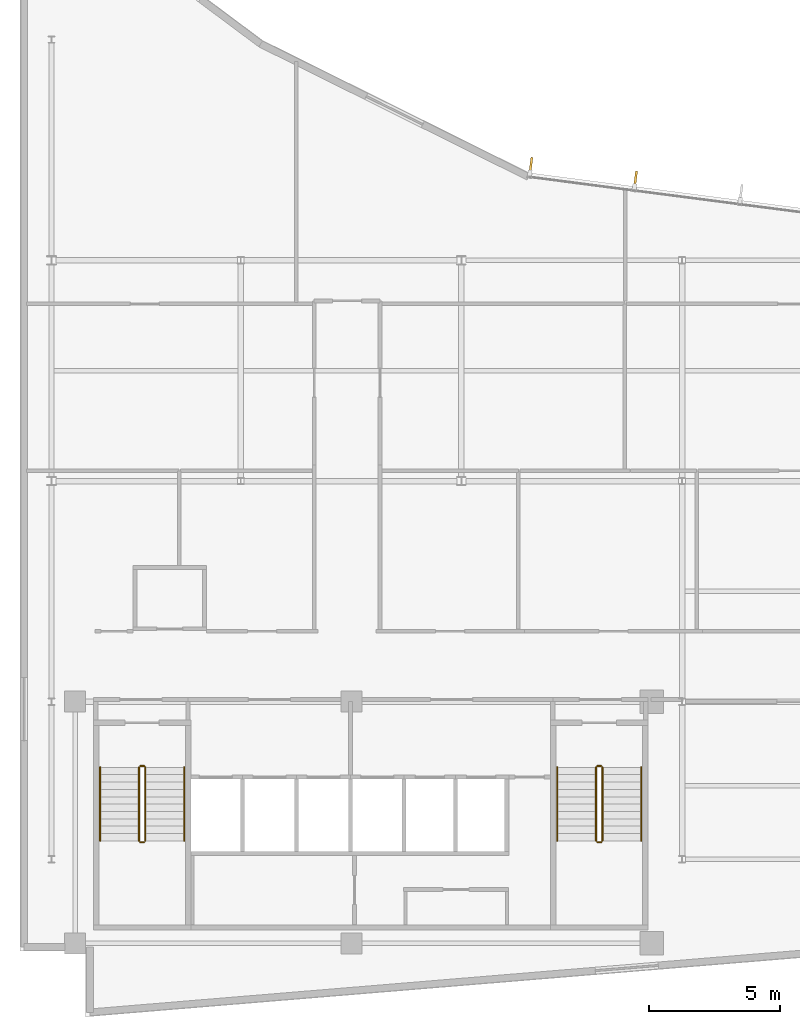
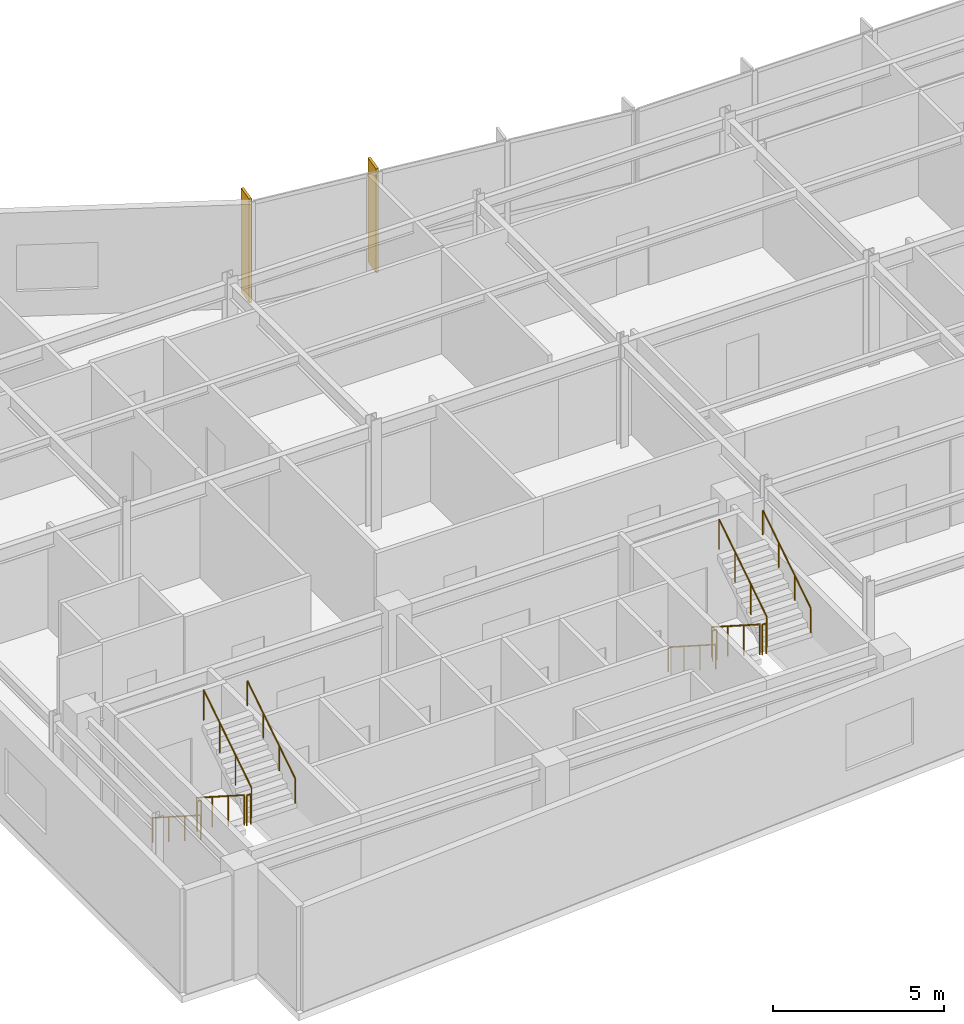
# One storey, part 13 of 15: 12 railings, 2 shading devices.
"""IFC4 building model written with IfcOpenShell, lengths in metres."""

from ifc_helpers import new_model, si_unit, direction, frame, origin, origin_2d, place, context, subcontext, project, spatial, rectangle, circle, extrude, material, layer, layer_set, type_object, element, save


model = new_model("IFC4")

# Units and contexts
model_context = context("Model", 3, precision=1e-05, world=origin(), true_north=direction((0.0, 1.0)))
body_context = subcontext(model_context, "Body", "Model", "MODEL_VIEW")
ifc_project = project(units=[si_unit("LENGTHUNIT", "METRE"), si_unit("AREAUNIT", "SQUARE_METRE"), si_unit("VOLUMEUNIT", "CUBIC_METRE"), si_unit("PLANEANGLEUNIT", "RADIAN"), si_unit("MASSUNIT", "GRAM", prefix="KILO")], contexts=[model_context])

# Site, building, storey
site_placement = place(None, origin())
site = spatial("IfcSite", under=ifc_project, at=site_placement, CompositionType="ELEMENT")
building_placement = place(site_placement, origin())
building = spatial("IfcBuilding", under=site, at=building_placement, Name="Varnakote Quay Hospital", CompositionType="ELEMENT")
storey_placement = place(building_placement, frame((0.0, 0.0, 244.699951171875)))
storey = spatial("IfcBuildingStorey", under=building, at=storey_placement, Name="L60", CompositionType="ELEMENT", Elevation=244.699951171875)

# Railings
ifc_material_1 = material(Name="Brushed stainless steel balustrade", Category="steel")
railing_type_1 = type_object("IfcRailingType", Name="RLG-STAIR-GUARD-1150", PredefinedType="GUARDRAIL", material=ifc_material_1)
railing_1_placement = place(storey_placement, frame((4.530029296875, 9.5, 0.1796875)))
element("IfcRailing", 1, at=railing_1_placement, inside=storey, type_object=railing_type_1, Name="L60 ST-01 stair guard 1", PredefinedType="GUARDRAIL", context=body_context, shape_type="SweptSolid", body=[
    extrude(circle(Radius=0.02392578125, at=origin_2d()), frame((0.0, 0.0, 1.076171875), z_axis=(0.0, -0.841809871826, 0.539774156196), x_axis=(1.0, 0.0, 0.0)), (0.0, 0.0, 1.0), 3.326171875),
    extrude(circle(Radius=0.02099609375, at=origin_2d()), origin(), (0.0, 0.0, 1.0), 1.052001953125),
    extrude(circle(Radius=0.02099609375, at=origin_2d()), frame((0.0, -0.933349609375, 0.598388671875)), (0.0, 0.0, 1.0), 1.052001953125),
    extrude(circle(Radius=0.02099609375, at=origin_2d()), frame((0.0, -1.86669921875, 1.197021484375)), (0.0, 0.0, 1.0), 1.052001953125),
    extrude(circle(Radius=0.02099609375, at=origin_2d()), frame((0.0, -2.800048828125, 1.79541015625)), (0.0, 0.0, 1.0), 1.052001953125),
])
railing_2_placement = place(storey_placement, frame((4.580078125, 6.64990234375, 1.97509765625)))
element("IfcRailing", 2, at=railing_2_placement, inside=storey, type_object=railing_type_1, Name="L60 ST-01 stair guard 2", PredefinedType="GUARDRAIL", context=body_context, shape_type="SweptSolid", body=[
    extrude(circle(Radius=0.02392578125, at=origin_2d()), frame((0.0, 0.0, 1.076171875), z_axis=(1.0, 0.0, 0.0), x_axis=(0.0, 1.0, 0.0)), (0.0, 0.0, 1.0), 0.139892578125),
    extrude(circle(Radius=0.02099609375, at=origin_2d()), origin(), (0.0, 0.0, 1.0), 1.052001953125),
    extrude(circle(Radius=0.02099609375, at=origin_2d()), frame((0.139892578125, 0.0, 0.0)), (0.0, 0.0, 1.0), 1.052001953125),
])
railing_3_placement = place(storey_placement, frame((4.77001953125, 6.699951171875, 2.154541015625)))
element("IfcRailing", 3, at=railing_3_placement, inside=storey, type_object=railing_type_1, Name="L60 ST-01 stair guard 3", PredefinedType="GUARDRAIL", context=body_context, shape_type="SweptSolid", body=[
    extrude(circle(Radius=0.02392578125, at=origin_2d()), frame((0.0, 0.0, 1.076171875), z_axis=(0.0, 0.841809871826, 0.539774156196), x_axis=(-1.0, 0.0, 0.0)), (0.0, 0.0, 1.0), 3.326171875),
    extrude(circle(Radius=0.02099609375, at=origin_2d()), origin(), (0.0, 0.0, 1.0), 1.052001953125),
    extrude(circle(Radius=0.02099609375, at=origin_2d()), frame((0.0, 0.933349609375, 0.598388671875)), (0.0, 0.0, 1.0), 1.052001953125),
    extrude(circle(Radius=0.02099609375, at=origin_2d()), frame((0.0, 1.86669921875, 1.197021484375)), (0.0, 0.0, 1.0), 1.052001953125),
    extrude(circle(Radius=0.02099609375, at=origin_2d()), frame((0.0, 2.800048828125, 1.79541015625)), (0.0, 0.0, 1.0), 1.052001953125),
])
railing_4_placement = place(storey_placement, frame((4.580078125, 9.550048828125, 0.0)))
element("IfcRailing", 4, at=railing_4_placement, inside=storey, type_object=railing_type_1, Name="L60 ST-01 stair guard 4", PredefinedType="GUARDRAIL", context=body_context, shape_type="SweptSolid", body=[
    extrude(circle(Radius=0.02392578125, at=origin_2d()), frame((0.0, 0.0, 1.076171875), z_axis=(1.0, 0.0, 0.0), x_axis=(0.0, 1.0, 0.0)), (0.0, 0.0, 1.0), 0.139892578125),
    extrude(circle(Radius=0.02099609375, at=origin_2d()), origin(), (0.0, 0.0, 1.0), 1.052001953125),
    extrude(circle(Radius=0.02099609375, at=origin_2d()), frame((0.139892578125, 0.0, 0.0)), (0.0, 0.0, 1.0), 1.052001953125),
])
railing_5_placement = place(storey_placement, frame((21.929931640625, 9.5, 0.1796875)))
element("IfcRailing", 5, at=railing_5_placement, inside=storey, type_object=railing_type_1, Name="L60 ST-02 stair guard 1", PredefinedType="GUARDRAIL", context=body_context, shape_type="SweptSolid", body=[
    extrude(circle(Radius=0.02392578125, at=origin_2d()), frame((0.0, 0.0, 1.076171875), z_axis=(0.0, -0.841809871826, 0.539774156196), x_axis=(1.0, 0.0, 0.0)), (0.0, 0.0, 1.0), 3.326171875),
    extrude(circle(Radius=0.02099609375, at=origin_2d()), origin(), (0.0, 0.0, 1.0), 1.052001953125),
    extrude(circle(Radius=0.02099609375, at=origin_2d()), frame((0.0, -0.933349609375, 0.598388671875)), (0.0, 0.0, 1.0), 1.052001953125),
    extrude(circle(Radius=0.02099609375, at=origin_2d()), frame((0.0, -1.86669921875, 1.197021484375)), (0.0, 0.0, 1.0), 1.052001953125),
    extrude(circle(Radius=0.02099609375, at=origin_2d()), frame((0.0, -2.800048828125, 1.79541015625)), (0.0, 0.0, 1.0), 1.052001953125),
])
railing_6_placement = place(storey_placement, frame((21.97998046875, 6.64990234375, 1.97509765625)))
element("IfcRailing", 6, at=railing_6_placement, inside=storey, type_object=railing_type_1, Name="L60 ST-02 stair guard 2", PredefinedType="GUARDRAIL", context=body_context, shape_type="SweptSolid", body=[
    extrude(circle(Radius=0.02392578125, at=origin_2d()), frame((0.0, 0.0, 1.076171875), z_axis=(1.0, 0.0, 0.0), x_axis=(0.0, 1.0, 0.0)), (0.0, 0.0, 1.0), 0.14013671875),
    extrude(circle(Radius=0.02099609375, at=origin_2d()), origin(), (0.0, 0.0, 1.0), 1.052001953125),
    extrude(circle(Radius=0.02099609375, at=origin_2d()), frame((0.14013671875, 0.0, 0.0)), (0.0, 0.0, 1.0), 1.052001953125),
])
railing_7_placement = place(storey_placement, frame((22.169921875, 6.699951171875, 2.154541015625)))
element("IfcRailing", 7, at=railing_7_placement, inside=storey, type_object=railing_type_1, Name="L60 ST-02 stair guard 3", PredefinedType="GUARDRAIL", context=body_context, shape_type="SweptSolid", body=[
    extrude(circle(Radius=0.02392578125, at=origin_2d()), frame((0.0, 0.0, 1.076171875), z_axis=(0.0, 0.841809871826, 0.539774156196), x_axis=(-1.0, 0.0, 0.0)), (0.0, 0.0, 1.0), 3.326171875),
    extrude(circle(Radius=0.02099609375, at=origin_2d()), origin(), (0.0, 0.0, 1.0), 1.052001953125),
    extrude(circle(Radius=0.02099609375, at=origin_2d()), frame((0.0, 0.933349609375, 0.598388671875)), (0.0, 0.0, 1.0), 1.052001953125),
    extrude(circle(Radius=0.02099609375, at=origin_2d()), frame((0.0, 1.86669921875, 1.197021484375)), (0.0, 0.0, 1.0), 1.052001953125),
    extrude(circle(Radius=0.02099609375, at=origin_2d()), frame((0.0, 2.800048828125, 1.79541015625)), (0.0, 0.0, 1.0), 1.052001953125),
])
railing_8_placement = place(storey_placement, frame((21.97998046875, 9.550048828125, 0.0)))
element("IfcRailing", 8, at=railing_8_placement, inside=storey, type_object=railing_type_1, Name="L60 ST-02 stair guard 4", PredefinedType="GUARDRAIL", context=body_context, shape_type="SweptSolid", body=[
    extrude(circle(Radius=0.02392578125, at=origin_2d()), frame((0.0, 0.0, 1.076171875), z_axis=(1.0, 0.0, 0.0), x_axis=(0.0, 1.0, 0.0)), (0.0, 0.0, 1.0), 0.14013671875),
    extrude(circle(Radius=0.02099609375, at=origin_2d()), origin(), (0.0, 0.0, 1.0), 1.052001953125),
    extrude(circle(Radius=0.02099609375, at=origin_2d()), frame((0.14013671875, 0.0, 0.0)), (0.0, 0.0, 1.0), 1.052001953125),
])
ifc_material_2 = material(Name="Brushed stainless steel handrail", Category="steel")
railing_type_2 = type_object("IfcRailingType", Name="RLG-STAIR-HND-920", PredefinedType="HANDRAIL", material=ifc_material_2)
railing_9_placement = place(storey_placement, frame((3.050048828125, 9.5, 0.1796875)))
element("IfcRailing", 9, at=railing_9_placement, inside=storey, type_object=railing_type_2, Name="L60 ST-01 stair handrail 1", PredefinedType="HANDRAIL", context=body_context, shape_type="SweptSolid", body=[
    extrude(circle(Radius=0.02392578125, at=origin_2d()), frame((0.0, 0.0, 0.8759765625), z_axis=(0.0, -0.841809871826, 0.539774156196), x_axis=(1.0, 0.0, 0.0)), (0.0, 0.0, 1.0), 3.326171875),
    extrude(circle(Radius=0.02099609375, at=origin_2d()), origin(), (0.0, 0.0, 1.0), 0.851806640625),
    extrude(circle(Radius=0.02099609375, at=origin_2d()), frame((0.0, -0.933349609375, 0.598388671875)), (0.0, 0.0, 1.0), 0.851806640625),
    extrude(circle(Radius=0.02099609375, at=origin_2d()), frame((0.0, -1.86669921875, 1.197021484375)), (0.0, 0.0, 1.0), 0.851806640625),
    extrude(circle(Radius=0.02099609375, at=origin_2d()), frame((0.0, -2.800048828125, 1.79541015625)), (0.0, 0.0, 1.0), 0.851806640625),
])
railing_10_placement = place(storey_placement, frame((6.25, 6.699951171875, 2.154541015625)))
element("IfcRailing", 10, at=railing_10_placement, inside=storey, type_object=railing_type_2, Name="L60 ST-01 stair handrail 2", PredefinedType="HANDRAIL", context=body_context, shape_type="SweptSolid", body=[
    extrude(circle(Radius=0.02392578125, at=origin_2d()), frame((0.0, 0.0, 0.8759765625), z_axis=(0.0, 0.841809871826, 0.539774156196), x_axis=(-1.0, 0.0, 0.0)), (0.0, 0.0, 1.0), 3.326171875),
    extrude(circle(Radius=0.02099609375, at=origin_2d()), origin(), (0.0, 0.0, 1.0), 0.851806640625),
    extrude(circle(Radius=0.02099609375, at=origin_2d()), frame((0.0, 0.933349609375, 0.598388671875)), (0.0, 0.0, 1.0), 0.851806640625),
    extrude(circle(Radius=0.02099609375, at=origin_2d()), frame((0.0, 1.86669921875, 1.197021484375)), (0.0, 0.0, 1.0), 0.851806640625),
    extrude(circle(Radius=0.02099609375, at=origin_2d()), frame((0.0, 2.800048828125, 1.79541015625)), (0.0, 0.0, 1.0), 0.851806640625),
])
railing_11_placement = place(storey_placement, frame((20.449951171875, 9.5, 0.1796875)))
element("IfcRailing", 11, at=railing_11_placement, inside=storey, type_object=railing_type_2, Name="L60 ST-02 stair handrail 1", PredefinedType="HANDRAIL", context=body_context, shape_type="SweptSolid", body=[
    extrude(circle(Radius=0.02392578125, at=origin_2d()), frame((0.0, 0.0, 0.8759765625), z_axis=(0.0, -0.841809871826, 0.539774156196), x_axis=(1.0, 0.0, 0.0)), (0.0, 0.0, 1.0), 3.326171875),
    extrude(circle(Radius=0.02099609375, at=origin_2d()), origin(), (0.0, 0.0, 1.0), 0.851806640625),
    extrude(circle(Radius=0.02099609375, at=origin_2d()), frame((0.0, -0.933349609375, 0.598388671875)), (0.0, 0.0, 1.0), 0.851806640625),
    extrude(circle(Radius=0.02099609375, at=origin_2d()), frame((0.0, -1.86669921875, 1.197021484375)), (0.0, 0.0, 1.0), 0.851806640625),
    extrude(circle(Radius=0.02099609375, at=origin_2d()), frame((0.0, -2.800048828125, 1.79541015625)), (0.0, 0.0, 1.0), 0.851806640625),
])
railing_12_placement = place(storey_placement, frame((23.64990234375, 6.699951171875, 2.154541015625)))
element("IfcRailing", 12, at=railing_12_placement, inside=storey, type_object=railing_type_2, Name="L60 ST-02 stair handrail 2", PredefinedType="HANDRAIL", context=body_context, shape_type="SweptSolid", body=[
    extrude(circle(Radius=0.02392578125, at=origin_2d()), frame((0.0, 0.0, 0.8759765625), z_axis=(0.0, 0.841809871826, 0.539774156196), x_axis=(-1.0, 0.0, 0.0)), (0.0, 0.0, 1.0), 3.326171875),
    extrude(circle(Radius=0.02099609375, at=origin_2d()), origin(), (0.0, 0.0, 1.0), 0.851806640625),
    extrude(circle(Radius=0.02099609375, at=origin_2d()), frame((0.0, 0.933349609375, 0.598388671875)), (0.0, 0.0, 1.0), 0.851806640625),
    extrude(circle(Radius=0.02099609375, at=origin_2d()), frame((0.0, 1.86669921875, 1.197021484375)), (0.0, 0.0, 1.0), 0.851806640625),
    extrude(circle(Radius=0.02099609375, at=origin_2d()), frame((0.0, 2.800048828125, 1.79541015625)), (0.0, 0.0, 1.0), 0.851806640625),
])

# Shading devices
ifc_material_3 = material(Name="Anodised aluminium 6063-T6 Bronze", Category="aluminium")
ifc_layer = layer(ifc_material_3, 0.0849609375)
ifc_layer_set = layer_set([ifc_layer], Name="Anodised aluminium 6063-T6 Bronze")
shading_device_type = type_object("IfcShadingDeviceType", Name="SHD-BRONZE-FIN-620", PredefinedType="USERDEFINED", material=ifc_layer_set)
for number, where, z_axis, x_axis, name in (
    (13, (23.43115234375, 31.8974609375, 0.0), (0.0, 0.0, 1.0), (-0.128795596578, -0.991671162383, 0.0), "L60 Anodised Bronze Vertical Shading FIN"),
    (14, (19.447021484375, 32.414794921875, 0.0), (0.0, 0.0, 1.0), (-0.128795596578, -0.991671162383, 0.0), "L60 Anodised Bronze Vertical Shading FIN"),
):
    element("IfcShadingDevice", number, at=place(storey_placement, frame(where, z_axis=z_axis, x_axis=x_axis)), inside=storey, type_object=shading_device_type, Name=name, ObjectType="FIN", PredefinedType="USERDEFINED", context=body_context, shape_type="SweptSolid", body=[
        extrude(rectangle(XDim=0.6201171875, YDim=0.0849609375, at=origin_2d()), origin(), (0.0, 0.0, 1.0), 3.7099609375),
    ])

save(model, "model.ifc")
